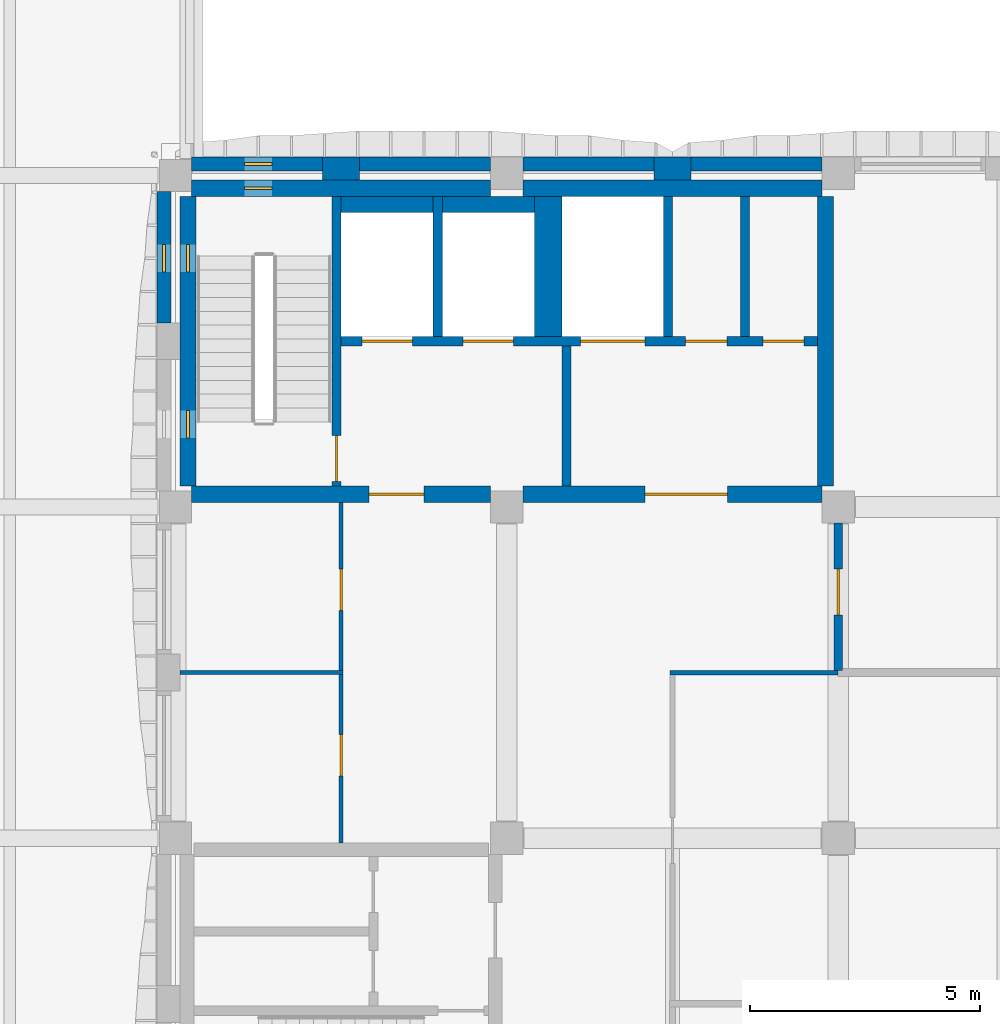
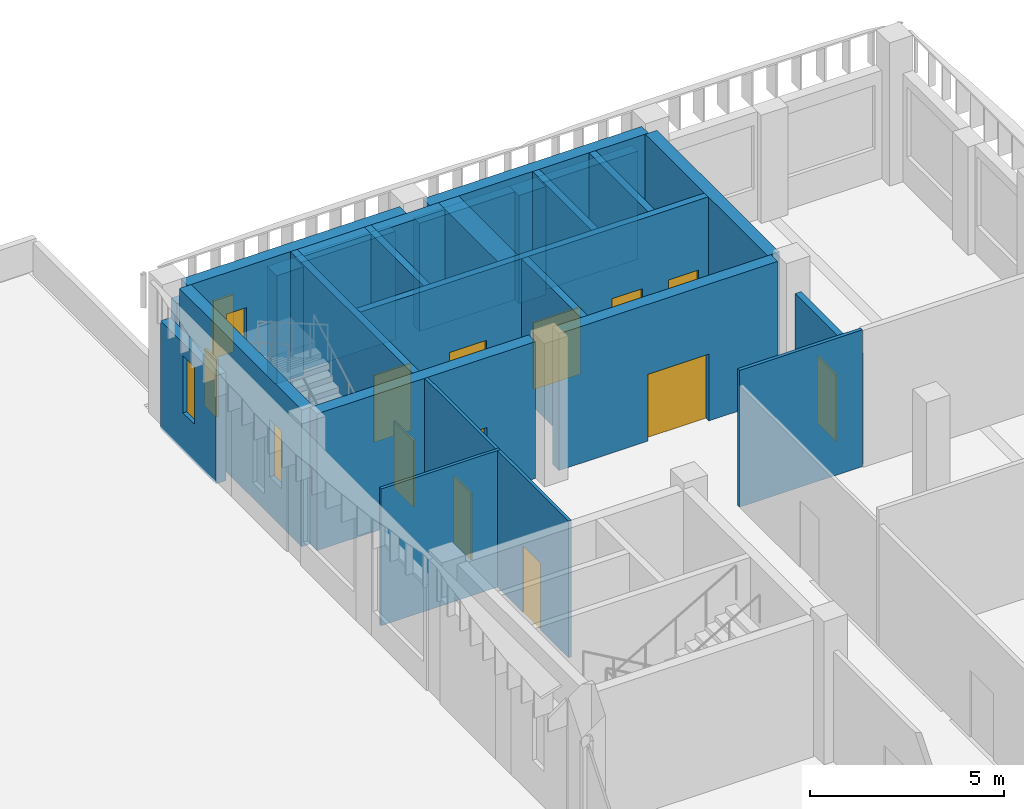
# One storey, part 15 of 44: 27 walls, 11 doors, 5 windows, 16 openings.
"""IFC4 building model written with IfcOpenShell, lengths in metres."""

from ifc_helpers import new_model, si_unit, direction, frame, frame_2d, origin, place, context, subcontext, project, spatial, rectangle, extrude, material, layer, layer_set, type_object, element, fill, save


model = new_model("IFC4")

# Units and contexts
model_context = context("Model", 3, precision=1e-05, world=origin(), true_north=direction((0.0, 1.0)))
body_context = subcontext(model_context, "Body", "Model", "MODEL_VIEW")
ifc_project = project(units=[si_unit("LENGTHUNIT", "METRE"), si_unit("AREAUNIT", "SQUARE_METRE"), si_unit("VOLUMEUNIT", "CUBIC_METRE"), si_unit("PLANEANGLEUNIT", "RADIAN"), si_unit("MASSUNIT", "GRAM", prefix="KILO")], contexts=[model_context])

# Site, building, storey
site_placement = place(None, origin())
site = spatial("IfcSite", under=ifc_project, at=site_placement, CompositionType="ELEMENT")
building_placement = place(site_placement, origin())
building = spatial("IfcBuilding", under=site, at=building_placement, Name="Ussher Court Research Institute", CompositionType="ELEMENT")
storey_placement = place(building_placement, frame((0.0, 0.0, 18.89990234375)))
storey = spatial("IfcBuildingStorey", under=building, at=storey_placement, Name="L04", CompositionType="ELEMENT", Elevation=18.89990234375)

# Wall, opening, door
ifc_material_1 = material(Name="Plasterboard on steel studs with mineral wool", Category="steel")
ifc_layer_1 = layer(ifc_material_1, 0.179931640625)
ifc_layer_set_1 = layer_set([ifc_layer_1], Name="Plasterboard on steel studs with mineral wool")
wall_type_1 = type_object("IfcWallType", Name="Acoustic twin-stud partition 180", PredefinedType="PARTITIONING", material=ifc_layer_set_1)
wall_1_placement = place(storey_placement, frame((96.60009765625, 25.25, 0.0), z_axis=(0.0, 0.0, 1.0), x_axis=(0.0, -1.0, 0.0)))
wall_1 = element("IfcWall", 1, at=wall_1_placement, inside=storey, type_object=wall_type_1, Name="Partition", PredefinedType="PARTITIONING", context=body_context, shape_type="SweptSolid", body=[
    extrude(rectangle(XDim=3.199951171875, YDim=0.179931640625, at=frame_2d((1.60009765625, 0.0))), origin(), (0.0, 0.0, 1.0), 3.47021484375),
])
opening_1_placement = place(wall_1_placement, frame((1.0, 0.0, 0.0)))
opening_1 = element("IfcOpeningElement", 2, at=opening_1_placement, cuts=wall_1, Name="Opening D04040", PredefinedType="OPENING", context=body_context, shape_type="SweptSolid", body=[
    extrude(rectangle(XDim=1.0, YDim=2.10009765625, at=frame_2d((0.5, 1.050048828125))), frame((0.0, 0.10009765625, 0.0), z_axis=(0.0, -1.0, 0.0), x_axis=(1.0, 0.0, 0.0)), (0.0, 0.0, 1.0), 0.199951171875),
])
ifc_material_2 = material(Name="Veneered timber door", Category="wood")
door_type_1 = type_object("IfcDoorType", Name="Meeting room door 1000x2100", OperationType="NOTDEFINED", PredefinedType="DOOR", material=ifc_material_2)
door_1_placement = place(opening_1_placement, origin())
door_1 = element("IfcDoor", 3, at=door_1_placement, inside=storey, type_object=door_type_1, Name="Door D04040", OperationType="SINGLE_SWING_LEFT", OverallHeight=2.10009765625, OverallWidth=1.0, PredefinedType="DOOR", context=body_context, shape_type="SweptSolid", body=[
    extrude(rectangle(XDim=1.0, YDim=2.10009765625, at=frame_2d((0.5, 1.050048828125))), frame((0.0, 0.02490234375, 0.0), z_axis=(0.0, -1.0, 0.0), x_axis=(1.0, 0.0, 0.0)), (0.0, 0.0, 1.0), 0.050048828125),
])
fill(opening_1, door_1)

# Wall, opening, window
ifc_material_3 = material(Name="Limestone facing on blockwork", Category="masonry")
ifc_layer_2 = layer(ifc_material_3, 0.300048828125)
ifc_layer_set_2 = layer_set([ifc_layer_2], Name="Limestone facing on blockwork")
wall_type_2 = type_object("IfcWallType", Name="External wall 300 stair enclosure", PredefinedType="SOLIDWALL", material=ifc_layer_set_2)
wall_2_placement = place(storey_placement, frame((82.550048828125, 33.050048828125, 0.0), z_axis=(0.0, 0.0, 1.0), x_axis=(1.0, 0.0, 0.0)))
wall_2 = element("IfcWall", 4, at=wall_2_placement, inside=storey, type_object=wall_type_2, Name="External wall EW5 L04", PredefinedType="SOLIDWALL", context=body_context, shape_type="SweptSolid", body=[
    extrude(rectangle(XDim=2.849853515625, YDim=0.300048828125, at=frame_2d((1.4248046875, 0.0))), origin(), (0.0, 0.0, 1.0), 3.400146484375),
])
opening_2_placement = place(wall_2_placement, frame((1.14990234375, 0.0, 1.199951171875)))
opening_2 = element("IfcOpeningElement", 5, at=opening_2_placement, cuts=wall_2, Name="Opening W25", PredefinedType="OPENING", context=body_context, shape_type="SweptSolid", body=[
    extrude(rectangle(XDim=0.60009765625, YDim=1.800048828125, at=frame_2d((0.300048828125, 0.89990234375))), frame((0.0, 0.16015625, 0.0), z_axis=(0.0, -1.0, 0.0), x_axis=(1.0, 0.0, 0.0)), (0.0, 0.0, 1.0), 0.320068359375),
])
ifc_material_4 = material(Name="Bronze anodised aluminium with double glazing", Category="aluminium")
window_type = type_object("IfcWindowType", Name="Stair light slot window 600x1800 fire-resisting glazing", PartitioningType="SINGLE_PANEL", PredefinedType="WINDOW", material=ifc_material_4)
window_1_placement = place(opening_2_placement, origin())
window_1 = element("IfcWindow", 6, at=window_1_placement, inside=storey, type_object=window_type, Name="Window W25 L04", OverallHeight=1.800048828125, OverallWidth=0.60009765625, PartitioningType="SINGLE_PANEL", PredefinedType="WINDOW", context=body_context, shape_type="SweptSolid", body=[
    extrude(rectangle(XDim=0.60009765625, YDim=1.800048828125, at=frame_2d((0.300048828125, 0.89990234375))), frame((0.0, 0.030029296875, 0.0), z_axis=(0.0, -1.0, 0.0), x_axis=(1.0, 0.0, 0.0)), (0.0, 0.0, 1.0), 0.06005859375),
])
fill(opening_2, window_1)

# Walls
for number, where, z_axis, x_axis, name in (
    (7, (86.199951171875, 33.050048828125, 0.0), (0.0, 0.0, 1.0), (1.0, 0.0, 0.0), "External wall EW5 L04"),
    (8, (89.75, 33.050048828125, 0.0), (0.0, 0.0, 1.0), (1.0, 0.0, 0.0), "External wall EW5 L04"),
    (9, (93.39990234375, 33.050048828125, 0.0), (0.0, 0.0, 1.0), (1.0, 0.0, 0.0), "External wall EW5 L04"),
):
    element("IfcWall", number, at=place(storey_placement, frame(where, z_axis=z_axis, x_axis=x_axis)), inside=storey, type_object=wall_type_2, Name=name, PredefinedType="SOLIDWALL", context=body_context, shape_type="SweptSolid", body=[
        extrude(rectangle(XDim=2.85009765625, YDim=0.300048828125, at=frame_2d((1.425048828125, 0.0))), origin(), (0.0, 0.0, 1.0), 3.400146484375),
    ])

# Wall, opening, window
wall_3_placement = place(storey_placement, frame((81.949951171875, 29.60009765625, 0.0), z_axis=(0.0, 0.0, 1.0), x_axis=(0.0, 1.0, 0.0)))
wall_3 = element("IfcWall", 10, at=wall_3_placement, inside=storey, type_object=wall_type_2, Name="External wall EW5 L04", PredefinedType="SOLIDWALL", context=body_context, shape_type="SweptSolid", body=[
    extrude(rectangle(XDim=2.849853515625, YDim=0.300048828125, at=frame_2d((1.4248046875, 0.0))), origin(), (0.0, 0.0, 1.0), 3.400146484375),
])
opening_3_placement = place(wall_3_placement, frame((1.10009765625, 0.0, 1.199951171875)))
opening_3 = element("IfcOpeningElement", 11, at=opening_3_placement, cuts=wall_3, Name="Opening W25", PredefinedType="OPENING", context=body_context, shape_type="SweptSolid", body=[
    extrude(rectangle(XDim=0.60009765625, YDim=1.800048828125, at=frame_2d((0.300048828125, 0.89990234375))), frame((0.0, 0.16015625, 0.0), z_axis=(0.0, -1.0, 0.0), x_axis=(1.0, 0.0, 0.0)), (0.0, 0.0, 1.0), 0.320068359375),
])
window_2_placement = place(opening_3_placement, origin())
window_2 = element("IfcWindow", 12, at=window_2_placement, inside=storey, type_object=window_type, Name="Window W25 L04", OverallHeight=1.800048828125, OverallWidth=0.60009765625, PartitioningType="SINGLE_PANEL", PredefinedType="WINDOW", context=body_context, shape_type="SweptSolid", body=[
    extrude(rectangle(XDim=0.60009765625, YDim=1.800048828125, at=frame_2d((0.300048828125, 0.89990234375))), frame((0.0, 0.030029296875, 0.0), z_axis=(0.0, -1.0, 0.0), x_axis=(1.0, 0.0, 0.0)), (0.0, 0.0, 1.0), 0.06005859375),
])
fill(opening_3, window_2)

# Walls
ifc_material_5 = material(Name="Plastered blockwork", Category="masonry")
ifc_layer_3 = layer(ifc_material_5, 0.10009765625)
ifc_layer_set_3 = layer_set([ifc_layer_3], Name="Plastered blockwork")
wall_type_3 = type_object("IfcWallType", Name="Partition plastered blockwork 100", PredefinedType="PARTITIONING", material=ifc_layer_set_3)
wall_4_placement = place(storey_placement, frame((92.949951171875, 22.0, 0.0), z_axis=(0.0, 0.0, 1.0), x_axis=(1.0, 0.0, 0.0)))
element("IfcWall", 13, at=wall_4_placement, inside=storey, type_object=wall_type_3, Name="Partition", PredefinedType="PARTITIONING", context=body_context, shape_type="SweptSolid", body=[
    extrude(rectangle(XDim=3.650146484375, YDim=0.10009765625, at=frame_2d((1.8251953125, 0.0))), origin(), (0.0, 0.0, 1.0), 4.300048828125),
])
ifc_material_6 = material(Name="Blockwork with cream render", Category="masonry")
ifc_layer_4 = layer(ifc_material_6, 0.5)
ifc_layer_set_4 = layer_set([ifc_layer_4], Name="Blockwork with cream render")
wall_type_4 = type_object("IfcWallType", Name="Pier 800x500 cream render", PredefinedType="SOLIDWALL", material=ifc_layer_set_4)
wall_5_placement = place(storey_placement, frame((85.39990234375, 32.949951171875, 0.0), z_axis=(0.0, 0.0, 1.0), x_axis=(1.0, 0.0, 0.0)))
element("IfcWall", 14, at=wall_5_placement, inside=storey, type_object=wall_type_4, Name="Pier PR1 L04", PredefinedType="SOLIDWALL", context=body_context, shape_type="SweptSolid", body=[
    extrude(rectangle(XDim=0.800048828125, YDim=0.5, at=frame_2d((0.39990234375, 0.0))), origin(), (0.0, 0.0, 1.0), 3.400146484375),
])
wall_6_placement = place(storey_placement, frame((92.60009765625, 32.949951171875, 0.0), z_axis=(0.0, 0.0, 1.0), x_axis=(1.0, 0.0, 0.0)))
element("IfcWall", 15, at=wall_6_placement, inside=storey, type_object=wall_type_4, Name="Pier PR1 L04", PredefinedType="SOLIDWALL", context=body_context, shape_type="SweptSolid", body=[
    extrude(rectangle(XDim=0.7998046875, YDim=0.5, at=frame_2d((0.39990234375, 0.0))), origin(), (0.0, 0.0, 1.0), 3.400146484375),
])

# Wall, opening, door
ifc_material_7 = material(Name="Concrete C35/45", Category="concrete")
ifc_layer_5 = layer(ifc_material_7, 0.199951171875)
ifc_layer_set_5 = layer_set([ifc_layer_5], Name="Concrete C35/45")
wall_type_5 = type_object("IfcWallType", Name="RC core wall 200", PredefinedType="SHEAR", material=ifc_layer_set_5)
wall_7_placement = place(storey_placement, frame((85.699951171875, 26.050048828125, 0.0), z_axis=(0.0, 0.0, 1.0), x_axis=(0.0, 1.0, 0.0)))
wall_7 = element("IfcWall", 16, at=wall_7_placement, inside=storey, type_object=wall_type_5, Name="Core wall T1", PredefinedType="SHEAR", context=body_context, shape_type="SweptSolid", body=[
    extrude(rectangle(XDim=6.300048828125, YDim=0.199951171875, at=frame_2d((3.14990234375, 0.0))), origin(), (0.0, 0.0, 1.0), 4.300048828125),
])
opening_4_placement = place(wall_7_placement, frame((0.10009765625, 0.0, 0.0)))
opening_4 = element("IfcOpeningElement", 17, at=opening_4_placement, cuts=wall_7, Name="Opening D04026", PredefinedType="OPENING", context=body_context, shape_type="SweptSolid", body=[
    extrude(rectangle(XDim=1.0, YDim=2.10009765625, at=frame_2d((0.5, 1.050048828125))), frame((0.0, 0.10986328125, 0.0), z_axis=(0.0, -1.0, 0.0), x_axis=(1.0, 0.0, 0.0)), (0.0, 0.0, 1.0), 0.219970703125),
])
ifc_material_8 = material(Name="Painted steel faced fire door", Category="steel")
door_type_2 = type_object("IfcDoorType", Name="Fire door 1000x2100 FD60", OperationType="NOTDEFINED", PredefinedType="DOOR", material=ifc_material_8)
door_2_placement = place(opening_4_placement, origin())
door_2 = element("IfcDoor", 18, at=door_2_placement, inside=storey, type_object=door_type_2, Name="Door D04026", OperationType="SINGLE_SWING_LEFT", OverallHeight=2.10009765625, OverallWidth=1.0, PredefinedType="DOOR", context=body_context, shape_type="SweptSolid", body=[
    extrude(rectangle(XDim=1.0, YDim=2.10009765625, at=frame_2d((0.5, 1.050048828125))), frame((0.0, 0.02490234375, 0.0), z_axis=(0.0, -1.0, 0.0), x_axis=(1.0, 0.0, 0.0)), (0.0, 0.0, 1.0), 0.050048828125),
])
fill(opening_4, door_2)

# Wall
wall_8_placement = place(storey_placement, frame((90.699951171875, 26.050048828125, 0.0), z_axis=(0.0, 0.0, 1.0), x_axis=(0.0, 1.0, 0.0)))
element("IfcWall", 19, at=wall_8_placement, inside=storey, type_object=wall_type_5, Name="Core wall T1", PredefinedType="SHEAR", context=body_context, shape_type="SweptSolid", body=[
    extrude(rectangle(XDim=3.050048828125, YDim=0.199951171875, at=frame_2d((1.52490234375, 0.0))), origin(), (0.0, 0.0, 1.0), 4.300048828125),
])

# Wall, openings, doors
wall_9_placement = place(storey_placement, frame((96.14990234375, 29.199951171875, 0.0), z_axis=(0.0, 0.0, 1.0), x_axis=(-1.0, 0.0, 0.0)))
wall_9 = element("IfcWall", 20, at=wall_9_placement, inside=storey, type_object=wall_type_5, Name="Core wall T1", PredefinedType="SHEAR", context=body_context, shape_type="SweptSolid", body=[
    extrude(rectangle(XDim=10.349853515625, YDim=0.199951171875, at=frame_2d((5.1748046875, 0.0))), origin(), (0.0, 0.0, 1.0), 4.300048828125),
])
opening_5_placement = place(wall_9_placement, frame((8.800048828125, 0.0, 0.0)))
opening_5 = element("IfcOpeningElement", 21, at=opening_5_placement, cuts=wall_9, Name="Opening LD54", PredefinedType="OPENING", context=body_context, shape_type="SweptSolid", body=[
    extrude(rectangle(XDim=1.10009765625, YDim=2.10009765625, at=frame_2d((0.550048828125, 1.050048828125))), frame((0.0, 0.10986328125, 0.0), z_axis=(0.0, -1.0, 0.0), x_axis=(1.0, 0.0, 0.0)), (0.0, 0.0, 1.0), 0.219970703125),
])
opening_6_placement = place(wall_9_placement, frame((6.60009765625, 0.0, 0.0)))
opening_6 = element("IfcOpeningElement", 22, at=opening_6_placement, cuts=wall_9, Name="Opening LD55", PredefinedType="OPENING", context=body_context, shape_type="SweptSolid", body=[
    extrude(rectangle(XDim=1.10009765625, YDim=2.10009765625, at=frame_2d((0.550048828125, 1.050048828125))), frame((0.0, 0.10986328125, 0.0), z_axis=(0.0, -1.0, 0.0), x_axis=(1.0, 0.0, 0.0)), (0.0, 0.0, 1.0), 0.219970703125),
])
opening_7_placement = place(wall_9_placement, frame((3.75, 0.0, 0.0)))
opening_7 = element("IfcOpeningElement", 23, at=opening_7_placement, cuts=wall_9, Name="Opening LD56", PredefinedType="OPENING", context=body_context, shape_type="SweptSolid", body=[
    extrude(rectangle(XDim=1.39990234375, YDim=2.10009765625, at=frame_2d((0.699951171875, 1.050048828125))), frame((0.0, 0.10986328125, 0.0), z_axis=(0.0, -1.0, 0.0), x_axis=(1.0, 0.0, 0.0)), (0.0, 0.0, 1.0), 0.219970703125),
])
opening_8_placement = place(wall_9_placement, frame((1.96240234375, 0.0, 0.0)))
opening_8 = element("IfcOpeningElement", 24, at=opening_8_placement, cuts=wall_9, Name="Opening D04038", PredefinedType="OPENING", context=body_context, shape_type="SweptSolid", body=[
    extrude(rectangle(XDim=0.89990234375, YDim=2.10009765625, at=frame_2d((0.449951171875, 1.050048828125))), frame((0.0, 0.10986328125, 0.0), z_axis=(0.0, -1.0, 0.0), x_axis=(1.0, 0.0, 0.0)), (0.0, 0.0, 1.0), 0.219970703125),
])
opening_9_placement = place(wall_9_placement, frame((0.28759765625, 0.0, 0.0)))
opening_9 = element("IfcOpeningElement", 25, at=opening_9_placement, cuts=wall_9, Name="Opening D04039", PredefinedType="OPENING", context=body_context, shape_type="SweptSolid", body=[
    extrude(rectangle(XDim=0.89990234375, YDim=2.10009765625, at=frame_2d((0.449951171875, 1.050048828125))), frame((0.0, 0.10986328125, 0.0), z_axis=(0.0, -1.0, 0.0), x_axis=(1.0, 0.0, 0.0)), (0.0, 0.0, 1.0), 0.219970703125),
])
ifc_material_9 = material(Name="Painted steel faced fire door", Category="steel")
door_type_3 = type_object("IfcDoorType", Name="Fire door 900x2100 FD60", OperationType="NOTDEFINED", PredefinedType="DOOR", material=ifc_material_9)
door_3_placement = place(opening_8_placement, origin())
door_3 = element("IfcDoor", 26, at=door_3_placement, inside=storey, type_object=door_type_3, Name="Door D04038", OperationType="SINGLE_SWING_LEFT", OverallHeight=2.10009765625, OverallWidth=0.89990234375, PredefinedType="DOOR", context=body_context, shape_type="SweptSolid", body=[
    extrude(rectangle(XDim=0.89990234375, YDim=2.10009765625, at=frame_2d((0.449951171875, 1.050048828125))), frame((0.0, 0.02490234375, 0.0), z_axis=(0.0, -1.0, 0.0), x_axis=(1.0, 0.0, 0.0)), (0.0, 0.0, 1.0), 0.050048828125),
])
fill(opening_8, door_3)
door_4_placement = place(opening_9_placement, origin())
door_4 = element("IfcDoor", 27, at=door_4_placement, inside=storey, type_object=door_type_3, Name="Door D04039", OperationType="SINGLE_SWING_LEFT", OverallHeight=2.10009765625, OverallWidth=0.89990234375, PredefinedType="DOOR", context=body_context, shape_type="SweptSolid", body=[
    extrude(rectangle(XDim=0.89990234375, YDim=2.10009765625, at=frame_2d((0.449951171875, 1.050048828125))), frame((0.0, 0.02490234375, 0.0), z_axis=(0.0, -1.0, 0.0), x_axis=(1.0, 0.0, 0.0)), (0.0, 0.0, 1.0), 0.050048828125),
])
fill(opening_9, door_4)
ifc_material_10 = material(Name="Stainless steel lift door", Category="steel")
door_type_4 = type_object("IfcDoorType", Name="Lift landing door 1100x2100 sliding", OperationType="DOUBLE_DOOR_SLIDING", PredefinedType="DOOR", material=ifc_material_10)
door_5_placement = place(opening_5_placement, origin())
door_5 = element("IfcDoor", 28, at=door_5_placement, inside=storey, type_object=door_type_4, Name="Landing door T1-1 L04", OperationType="DOUBLE_DOOR_SLIDING", OverallHeight=2.10009765625, OverallWidth=1.10009765625, PredefinedType="DOOR", context=body_context, shape_type="SweptSolid", body=[
    extrude(rectangle(XDim=1.10009765625, YDim=2.10009765625, at=frame_2d((0.550048828125, 1.050048828125))), frame((0.0, 0.02490234375, 0.0), z_axis=(0.0, -1.0, 0.0), x_axis=(1.0, 0.0, 0.0)), (0.0, 0.0, 1.0), 0.050048828125),
])
fill(opening_5, door_5)
door_6_placement = place(opening_6_placement, origin())
door_6 = element("IfcDoor", 29, at=door_6_placement, inside=storey, type_object=door_type_4, Name="Landing door T1-2 L04", OperationType="DOUBLE_DOOR_SLIDING", OverallHeight=2.10009765625, OverallWidth=1.10009765625, PredefinedType="DOOR", context=body_context, shape_type="SweptSolid", body=[
    extrude(rectangle(XDim=1.10009765625, YDim=2.10009765625, at=frame_2d((0.550048828125, 1.050048828125))), frame((0.0, 0.02490234375, 0.0), z_axis=(0.0, -1.0, 0.0), x_axis=(1.0, 0.0, 0.0)), (0.0, 0.0, 1.0), 0.050048828125),
])
fill(opening_6, door_6)
ifc_material_11 = material(Name="Stainless steel lift door", Category="steel")
door_type_5 = type_object("IfcDoorType", Name="Lift landing door 1400x2100 sliding", OperationType="DOUBLE_DOOR_SLIDING", PredefinedType="DOOR", material=ifc_material_11)
door_7_placement = place(opening_7_placement, origin())
door_7 = element("IfcDoor", 30, at=door_7_placement, inside=storey, type_object=door_type_5, Name="Landing door T1-3 L04", OperationType="DOUBLE_DOOR_SLIDING", OverallHeight=2.10009765625, OverallWidth=1.39990234375, PredefinedType="DOOR", context=body_context, shape_type="SweptSolid", body=[
    extrude(rectangle(XDim=1.39990234375, YDim=2.10009765625, at=frame_2d((0.699951171875, 1.050048828125))), frame((0.0, 0.02490234375, 0.0), z_axis=(0.0, -1.0, 0.0), x_axis=(1.0, 0.0, 0.0)), (0.0, 0.0, 1.0), 0.050048828125),
])
fill(opening_7, door_7)

# Walls
for number, where, z_axis, x_axis, name in (
    (31, (87.89990234375, 29.300048828125, 0.0), (0.0, 0.0, 1.0), (0.0, 1.0, 0.0), "Core wall T1"),
    (32, (92.89990234375, 29.300048828125, 0.0), (0.0, 0.0, 1.0), (0.0, 1.0, 0.0), "Core wall T1"),
    (33, (94.574951171875, 29.300048828125, 0.0), (0.0, 0.0, 1.0), (0.0, 1.0, 0.0), "Core wall T1"),
):
    element("IfcWall", number, at=place(storey_placement, frame(where, z_axis=z_axis, x_axis=x_axis)), inside=storey, type_object=wall_type_5, Name=name, PredefinedType="SHEAR", context=body_context, shape_type="SweptSolid", body=[
        extrude(rectangle(XDim=3.050048828125, YDim=0.199951171875, at=frame_2d((1.52490234375, 0.0))), origin(), (0.0, 0.0, 1.0), 4.300048828125),
    ])

# Wall, opening, door
ifc_material_12 = material(Name="Concrete C35/45", Category="concrete")
ifc_layer_6 = layer(ifc_material_12, 0.35009765625)
ifc_layer_set_6 = layer_set([ifc_layer_6], Name="Concrete C35/45")
wall_type_6 = type_object("IfcWallType", Name="RC core wall 350", PredefinedType="SHEAR", material=ifc_layer_set_6)
wall_10_placement = place(storey_placement, frame((82.550048828125, 25.875, 0.0), z_axis=(0.0, 0.0, 1.0), x_axis=(1.0, 0.0, 0.0)))
wall_10 = element("IfcWall", 34, at=wall_10_placement, inside=storey, type_object=wall_type_6, Name="Core wall T1", PredefinedType="SHEAR", context=body_context, shape_type="SweptSolid", body=[
    extrude(rectangle(XDim=6.5, YDim=0.35009765625, at=frame_2d((3.25, 0.0))), origin(), (0.0, 0.0, 1.0), 4.300048828125),
])
opening_10_placement = place(wall_10_placement, frame((3.85009765625, 0.0, 0.0)))
opening_10 = element("IfcOpeningElement", 35, at=opening_10_placement, cuts=wall_10, Name="Opening D04031", PredefinedType="OPENING", context=body_context, shape_type="SweptSolid", body=[
    extrude(rectangle(XDim=1.199951171875, YDim=2.10009765625, at=frame_2d((0.60009765625, 1.050048828125))), frame((0.0, 0.18505859375, 0.0), z_axis=(0.0, -1.0, 0.0), x_axis=(1.0, 0.0, 0.0)), (0.0, 0.0, 1.0), 0.3701171875),
])
ifc_material_13 = material(Name="Painted steel faced fire door", Category="steel")
door_type_6 = type_object("IfcDoorType", Name="Fire door 1200x2100 FD60", OperationType="NOTDEFINED", PredefinedType="DOOR", material=ifc_material_13)
door_8_placement = place(opening_10_placement, origin())
door_8 = element("IfcDoor", 36, at=door_8_placement, inside=storey, type_object=door_type_6, Name="Door D04031", OperationType="SINGLE_SWING_RIGHT", OverallHeight=2.10009765625, OverallWidth=1.199951171875, PredefinedType="DOOR", context=body_context, shape_type="SweptSolid", body=[
    extrude(rectangle(XDim=1.199951171875, YDim=2.10009765625, at=frame_2d((0.60009765625, 1.050048828125))), frame((0.0, 0.02490234375, 0.0), z_axis=(0.0, -1.0, 0.0), x_axis=(1.0, 0.0, 0.0)), (0.0, 0.0, 1.0), 0.050048828125),
])
fill(opening_10, door_8)

wall_11_placement = place(storey_placement, frame((89.75, 25.875, 0.0), z_axis=(0.0, 0.0, 1.0), x_axis=(1.0, 0.0, 0.0)))
wall_11 = element("IfcWall", 37, at=wall_11_placement, inside=storey, type_object=wall_type_6, Name="Core wall T1", PredefinedType="SHEAR", context=body_context, shape_type="SweptSolid", body=[
    extrude(rectangle(XDim=6.5, YDim=0.35009765625, at=frame_2d((3.25, 0.0))), origin(), (0.0, 0.0, 1.0), 4.300048828125),
])
opening_11_placement = place(wall_11_placement, frame((2.64990234375, 0.0, 0.0)))
opening_11 = element("IfcOpeningElement", 38, at=opening_11_placement, cuts=wall_11, Name="Opening D04037", PredefinedType="OPENING", context=body_context, shape_type="SweptSolid", body=[
    extrude(rectangle(XDim=1.800048828125, YDim=2.10009765625, at=frame_2d((0.89990234375, 1.050048828125))), frame((0.0, 0.18505859375, 0.0), z_axis=(0.0, -1.0, 0.0), x_axis=(1.0, 0.0, 0.0)), (0.0, 0.0, 1.0), 0.3701171875),
])
ifc_material_14 = material(Name="Painted steel faced fire door", Category="steel")
door_type_7 = type_object("IfcDoorType", Name="Fire door 1800x2100 FD60 double leaf", OperationType="DOUBLE_DOOR_SINGLE_SWING", PredefinedType="DOOR", material=ifc_material_14)
door_9_placement = place(opening_11_placement, origin())
door_9 = element("IfcDoor", 39, at=door_9_placement, inside=storey, type_object=door_type_7, Name="Door D04037", OperationType="SINGLE_SWING_LEFT", OverallHeight=2.10009765625, OverallWidth=1.800048828125, PredefinedType="DOOR", context=body_context, shape_type="SweptSolid", body=[
    extrude(rectangle(XDim=1.800048828125, YDim=2.10009765625, at=frame_2d((0.89990234375, 1.050048828125))), frame((0.0, 0.02490234375, 0.0), z_axis=(0.0, -1.0, 0.0), x_axis=(1.0, 0.0, 0.0)), (0.0, 0.0, 1.0), 0.050048828125),
])
fill(opening_11, door_9)

# Wall, opening, window
wall_12_placement = place(storey_placement, frame((82.550048828125, 32.52490234375, 0.0), z_axis=(0.0, 0.0, 1.0), x_axis=(1.0, 0.0, 0.0)))
wall_12 = element("IfcWall", 40, at=wall_12_placement, inside=storey, type_object=wall_type_6, Name="Core wall T1", PredefinedType="SHEAR", context=body_context, shape_type="SweptSolid", body=[
    extrude(rectangle(XDim=6.5, YDim=0.35009765625, at=frame_2d((3.25, 0.0))), origin(), (0.0, 0.0, 1.0), 4.300048828125),
])
opening_12_placement = place(wall_12_placement, frame((1.14990234375, 0.0, 1.199951171875)))
opening_12 = element("IfcOpeningElement", 41, at=opening_12_placement, cuts=wall_12, Name="Opening W25", PredefinedType="OPENING", context=body_context, shape_type="SweptSolid", body=[
    extrude(rectangle(XDim=0.60009765625, YDim=1.800048828125, at=frame_2d((0.300048828125, 0.89990234375))), frame((0.0, 0.18505859375, 0.0), z_axis=(0.0, -1.0, 0.0), x_axis=(1.0, 0.0, 0.0)), (0.0, 0.0, 1.0), 0.3701171875),
])
window_3_placement = place(opening_12_placement, origin())
window_3 = element("IfcWindow", 42, at=window_3_placement, inside=storey, type_object=window_type, Name="Window stair light T1 L04", OverallHeight=1.800048828125, OverallWidth=0.60009765625, PartitioningType="SINGLE_PANEL", PredefinedType="WINDOW", context=body_context, shape_type="SweptSolid", body=[
    extrude(rectangle(XDim=0.60009765625, YDim=1.800048828125, at=frame_2d((0.300048828125, 0.89990234375))), frame((0.0, 0.030029296875, 0.0), z_axis=(0.0, -1.0, 0.0), x_axis=(1.0, 0.0, 0.0)), (0.0, 0.0, 1.0), 0.06005859375),
])
fill(opening_12, window_3)

# Wall
wall_13_placement = place(storey_placement, frame((89.75, 32.52490234375, 0.0), z_axis=(0.0, 0.0, 1.0), x_axis=(1.0, 0.0, 0.0)))
element("IfcWall", 43, at=wall_13_placement, inside=storey, type_object=wall_type_6, Name="Core wall T1", PredefinedType="SHEAR", context=body_context, shape_type="SweptSolid", body=[
    extrude(rectangle(XDim=6.5, YDim=0.35009765625, at=frame_2d((3.25, 0.0))), origin(), (0.0, 0.0, 1.0), 4.300048828125),
])

# Wall, openings, windows
wall_14_placement = place(storey_placement, frame((82.47509765625, 26.050048828125, 0.0), z_axis=(0.0, 0.0, 1.0), x_axis=(0.0, 1.0, 0.0)))
wall_14 = element("IfcWall", 44, at=wall_14_placement, inside=storey, type_object=wall_type_6, Name="Core wall T1", PredefinedType="SHEAR", context=body_context, shape_type="SweptSolid", body=[
    extrude(rectangle(XDim=6.300048828125, YDim=0.35009765625, at=frame_2d((3.14990234375, 0.0))), origin(), (0.0, 0.0, 1.0), 4.300048828125),
])
opening_13_placement = place(wall_14_placement, frame((1.050048828125, 0.0, 1.199951171875)))
opening_13 = element("IfcOpeningElement", 45, at=opening_13_placement, cuts=wall_14, Name="Opening W25", PredefinedType="OPENING", context=body_context, shape_type="SweptSolid", body=[
    extrude(rectangle(XDim=0.60009765625, YDim=1.800048828125, at=frame_2d((0.300048828125, 0.89990234375))), frame((0.0, 0.18505859375, 0.0), z_axis=(0.0, -1.0, 0.0), x_axis=(1.0, 0.0, 0.0)), (0.0, 0.0, 1.0), 0.3701171875),
])
opening_14_placement = place(wall_14_placement, frame((4.64990234375, 0.0, 1.199951171875)))
opening_14 = element("IfcOpeningElement", 46, at=opening_14_placement, cuts=wall_14, Name="Opening W25", PredefinedType="OPENING", context=body_context, shape_type="SweptSolid", body=[
    extrude(rectangle(XDim=0.60009765625, YDim=1.800048828125, at=frame_2d((0.300048828125, 0.89990234375))), frame((0.0, 0.18505859375, 0.0), z_axis=(0.0, -1.0, 0.0), x_axis=(1.0, 0.0, 0.0)), (0.0, 0.0, 1.0), 0.3701171875),
])
window_4_placement = place(opening_13_placement, origin())
window_4 = element("IfcWindow", 47, at=window_4_placement, inside=storey, type_object=window_type, Name="Window stair light T1 L04", OverallHeight=1.800048828125, OverallWidth=0.60009765625, PartitioningType="SINGLE_PANEL", PredefinedType="WINDOW", context=body_context, shape_type="SweptSolid", body=[
    extrude(rectangle(XDim=0.60009765625, YDim=1.800048828125, at=frame_2d((0.300048828125, 0.89990234375))), frame((0.0, 0.030029296875, 0.0), z_axis=(0.0, -1.0, 0.0), x_axis=(1.0, 0.0, 0.0)), (0.0, 0.0, 1.0), 0.06005859375),
])
fill(opening_13, window_4)
window_5_placement = place(opening_14_placement, origin())
window_5 = element("IfcWindow", 48, at=window_5_placement, inside=storey, type_object=window_type, Name="Window stair light T1 L04", OverallHeight=1.800048828125, OverallWidth=0.60009765625, PartitioningType="SINGLE_PANEL", PredefinedType="WINDOW", context=body_context, shape_type="SweptSolid", body=[
    extrude(rectangle(XDim=0.60009765625, YDim=1.800048828125, at=frame_2d((0.300048828125, 0.89990234375))), frame((0.0, 0.030029296875, 0.0), z_axis=(0.0, -1.0, 0.0), x_axis=(1.0, 0.0, 0.0)), (0.0, 0.0, 1.0), 0.06005859375),
])
fill(opening_14, window_5)

# Walls
wall_15_placement = place(storey_placement, frame((96.324951171875, 26.050048828125, 0.0), z_axis=(0.0, 0.0, 1.0), x_axis=(0.0, 1.0, 0.0)))
element("IfcWall", 49, at=wall_15_placement, inside=storey, type_object=wall_type_6, Name="Core wall T1", PredefinedType="SHEAR", context=body_context, shape_type="SweptSolid", body=[
    extrude(rectangle(XDim=6.300048828125, YDim=0.35009765625, at=frame_2d((3.14990234375, 0.0))), origin(), (0.0, 0.0, 1.0), 4.300048828125),
])
for number, where, z_axis, x_axis, name in (
    (50, (85.800048828125, 32.175048828125, 0.0), (0.0, 0.0, 1.0), (1.0, 0.0, 0.0), "Core wall T1"),
    (51, (88.0, 32.175048828125, 0.0), (0.0, 0.0, 1.0), (1.0, 0.0, 0.0), "Core wall T1"),
):
    element("IfcWall", number, at=place(storey_placement, frame(where, z_axis=z_axis, x_axis=x_axis)), inside=storey, type_object=wall_type_6, Name=name, PredefinedType="SHEAR", context=body_context, shape_type="SweptSolid", body=[
        extrude(rectangle(XDim=2.0, YDim=0.35009765625, at=frame_2d((1.0, 0.0))), origin(), (0.0, 0.0, 1.0), 4.300048828125),
    ])
ifc_material_15 = material(Name="Concrete C35/45", Category="concrete")
ifc_layer_7 = layer(ifc_material_15, 0.60009765625)
ifc_layer_set_7 = layer_set([ifc_layer_7], Name="Concrete C35/45")
wall_type_7 = type_object("IfcWallType", Name="RC core wall 600", PredefinedType="SHEAR", material=ifc_layer_set_7)
wall_16_placement = place(storey_placement, frame((90.300048828125, 29.300048828125, 0.0), z_axis=(0.0, 0.0, 1.0), x_axis=(0.0, 1.0, 0.0)))
element("IfcWall", 52, at=wall_16_placement, inside=storey, type_object=wall_type_7, Name="Core wall T1", PredefinedType="SHEAR", context=body_context, shape_type="SweptSolid", body=[
    extrude(rectangle(XDim=3.050048828125, YDim=0.60009765625, at=frame_2d((1.52490234375, 0.0))), origin(), (0.0, 0.0, 1.0), 4.300048828125),
])
ifc_material_16 = material(Name="Moisture-resistant board on steel studs", Category="steel")
ifc_layer_8 = layer(ifc_material_16, 0.090087890625)
ifc_layer_set_8 = layer_set([ifc_layer_8], Name="Moisture-resistant board on steel studs")
wall_type_8 = type_object("IfcWallType", Name="WC lining partition 90", PredefinedType="PARTITIONING", material=ifc_layer_set_8)
wall_17_placement = place(storey_placement, frame((82.300048828125, 22.0, 0.0), z_axis=(0.0, 0.0, 1.0), x_axis=(1.0, 0.0, 0.0)))
element("IfcWall", 53, at=wall_17_placement, inside=storey, type_object=wall_type_8, Name="Partition", PredefinedType="PARTITIONING", context=body_context, shape_type="SweptSolid", body=[
    extrude(rectangle(XDim=3.544921875, YDim=0.090087890625, at=frame_2d((1.7724609375, 0.0))), origin(), (0.0, 0.0, 1.0), 4.300048828125),
])

# Wall, opening, door
wall_18_placement = place(storey_placement, frame((85.800048828125, 18.300048828125, 0.0), z_axis=(0.0, 0.0, 1.0), x_axis=(0.0, 1.0, 0.0)))
wall_18 = element("IfcWall", 54, at=wall_18_placement, inside=storey, type_object=wall_type_8, Name="Partition", PredefinedType="PARTITIONING", context=body_context, shape_type="SweptSolid", body=[
    extrude(rectangle(XDim=3.655029296875, YDim=0.090087890625, at=frame_2d((1.82763671875, 0.0))), origin(), (0.0, 0.0, 1.0), 4.300048828125),
])
opening_15_placement = place(wall_18_placement, frame((1.449951171875, 0.0, 0.0)))
opening_15 = element("IfcOpeningElement", 55, at=opening_15_placement, cuts=wall_18, Name="Opening D04027", PredefinedType="OPENING", context=body_context, shape_type="SweptSolid", body=[
    extrude(rectangle(XDim=0.89990234375, YDim=2.10009765625, at=frame_2d((0.449951171875, 1.050048828125))), frame((0.0, 0.05517578125, 0.0), z_axis=(0.0, -1.0, 0.0), x_axis=(1.0, 0.0, 0.0)), (0.0, 0.0, 1.0), 0.110107421875),
])
ifc_material_17 = material(Name="Veneered timber door", Category="wood")
door_type_8 = type_object("IfcDoorType", Name="WC door 900x2100", OperationType="NOTDEFINED", PredefinedType="DOOR", material=ifc_material_17)
door_10_placement = place(opening_15_placement, origin())
door_10 = element("IfcDoor", 56, at=door_10_placement, inside=storey, type_object=door_type_8, Name="Door D04027", OperationType="SINGLE_SWING_RIGHT", OverallHeight=2.10009765625, OverallWidth=0.89990234375, PredefinedType="DOOR", context=body_context, shape_type="SweptSolid", body=[
    extrude(rectangle(XDim=0.89990234375, YDim=2.10009765625, at=frame_2d((0.449951171875, 1.050048828125))), frame((0.0, 0.02490234375, 0.0), z_axis=(0.0, -1.0, 0.0), x_axis=(1.0, 0.0, 0.0)), (0.0, 0.0, 1.0), 0.050048828125),
])
fill(opening_15, door_10)

wall_19_placement = place(storey_placement, frame((85.800048828125, 22.044921875, 0.0), z_axis=(0.0, 0.0, 1.0), x_axis=(0.0, 1.0, 0.0)))
wall_19 = element("IfcWall", 57, at=wall_19_placement, inside=storey, type_object=wall_type_8, Name="Partition", PredefinedType="PARTITIONING", context=body_context, shape_type="SweptSolid", body=[
    extrude(rectangle(XDim=3.655029296875, YDim=0.090087890625, at=frame_2d((1.82763671875, 0.0))), origin(), (0.0, 0.0, 1.0), 4.300048828125),
])
opening_16_placement = place(wall_19_placement, frame((1.304931640625, 0.0, 0.0)))
opening_16 = element("IfcOpeningElement", 58, at=opening_16_placement, cuts=wall_19, Name="Opening D04028", PredefinedType="OPENING", context=body_context, shape_type="SweptSolid", body=[
    extrude(rectangle(XDim=0.89990234375, YDim=2.10009765625, at=frame_2d((0.449951171875, 1.050048828125))), frame((0.0, 0.05517578125, 0.0), z_axis=(0.0, -1.0, 0.0), x_axis=(1.0, 0.0, 0.0)), (0.0, 0.0, 1.0), 0.110107421875),
])
door_11_placement = place(opening_16_placement, origin())
door_11 = element("IfcDoor", 59, at=door_11_placement, inside=storey, type_object=door_type_8, Name="Door D04028", OperationType="SINGLE_SWING_LEFT", OverallHeight=2.10009765625, OverallWidth=0.89990234375, PredefinedType="DOOR", context=body_context, shape_type="SweptSolid", body=[
    extrude(rectangle(XDim=0.89990234375, YDim=2.10009765625, at=frame_2d((0.449951171875, 1.050048828125))), frame((0.0, 0.02490234375, 0.0), z_axis=(0.0, -1.0, 0.0), x_axis=(1.0, 0.0, 0.0)), (0.0, 0.0, 1.0), 0.050048828125),
])
fill(opening_16, door_11)

save(model, "model.ifc")
